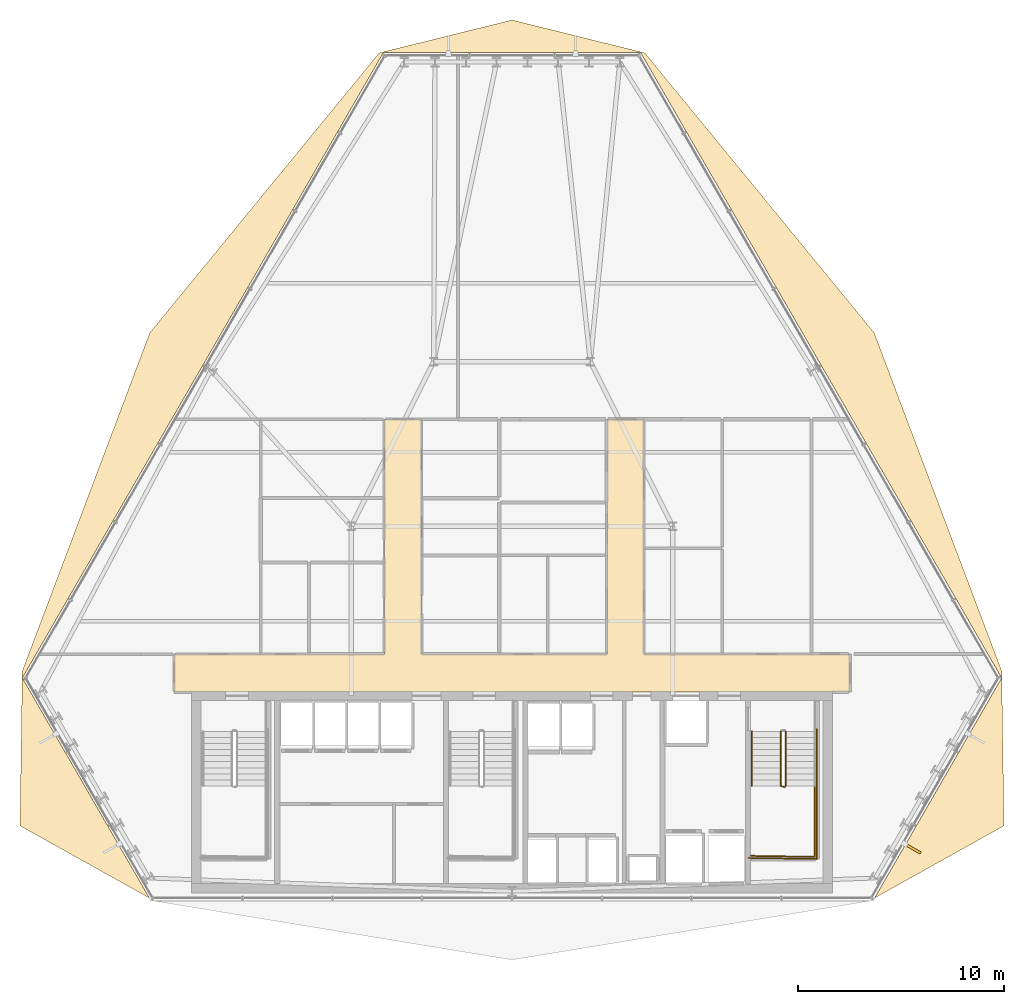
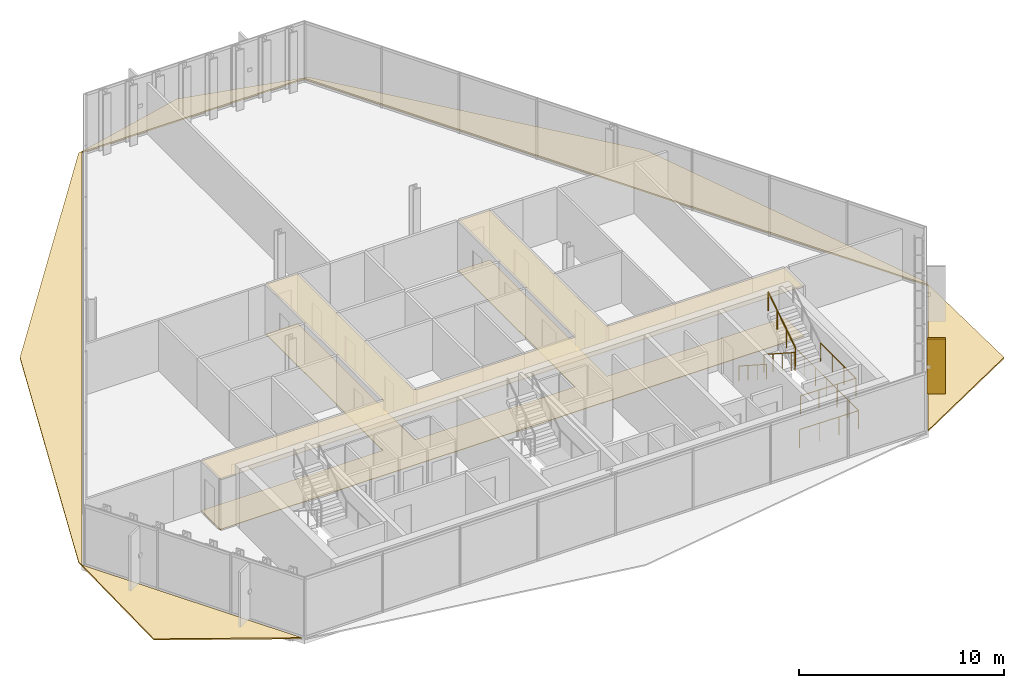
# One storey, part 34 of 36: 5 railings, 3 coverings, 1 shading device.
"""IFC4 building model written with IfcOpenShell, lengths in metres."""

from ifc_helpers import new_model, si_unit, direction, frame, origin, origin_2d, place, context, subcontext, project, spatial, polyline, rectangle, circle, outline, extrude, material, layer, layer_set, type_object, element, save


model = new_model("IFC4")

# Units and contexts
model_context = context("Model", 3, precision=1e-05, world=origin(), true_north=direction((0.0, 1.0)))
body_context = subcontext(model_context, "Body", "Model", "MODEL_VIEW")
ifc_project = project(units=[si_unit("LENGTHUNIT", "METRE"), si_unit("AREAUNIT", "SQUARE_METRE"), si_unit("VOLUMEUNIT", "CUBIC_METRE"), si_unit("PLANEANGLEUNIT", "RADIAN"), si_unit("MASSUNIT", "GRAM", prefix="KILO")], contexts=[model_context])

# Site, building, storey
site_placement = place(None, origin())
site = spatial("IfcSite", under=ifc_project, at=site_placement, CompositionType="ELEMENT")
building_placement = place(site_placement, origin())
building = spatial("IfcBuilding", under=site, at=building_placement, Name="Ndaravel Arena Tower", CompositionType="ELEMENT")
storey_placement = place(building_placement, frame((0.0, 0.0, 127.0)))
storey = spatial("IfcBuildingStorey", under=building, at=storey_placement, Name="L29", CompositionType="ELEMENT", Elevation=127.0)

# Coverings
ifc_material_1 = material(Name="Acoustic Ceiling Tile", Category="finish")
ifc_layer_1 = layer(ifc_material_1, 0.02490234375)
ifc_layer_set_1 = layer_set([ifc_layer_1], Name="Acoustic Ceiling Tile")
covering_type_1 = type_object("IfcCoveringType", Name="COV-CEIL-AC600", PredefinedType="CEILING", material=ifc_layer_set_1)
covering_1_placement = place(storey_placement, frame((0.0, 0.0, 2.98046875)))
element("IfcCovering", 1, at=covering_1_placement, inside=storey, type_object=covering_type_1, Name="L29 Corridor Acoustic Ceiling", PredefinedType="CEILING", context=body_context, shape_type="SweptSolid", body=[
    extrude(outline(polyline([(58.39990234375, 17.0), (48.39990234375, 17.0), (48.39990234375, 28.39990234375), (46.60009765625, 28.39990234375), (46.60009765625, 17.0), (37.60009765625, 17.0), (37.60009765625, 28.39990234375), (35.800048828125, 28.39990234375), (35.800048828125, 17.0), (25.60009765625, 17.0), (25.60009765625, 15.14990234375), (58.39990234375, 15.14990234375), (58.39990234375, 17.0)])), origin(), (0.0, 0.0, 1.0), 0.025146484375),
])
ifc_material_2 = material(Name="Terrazzo", Category="stone")
ifc_layer_2 = layer(ifc_material_2, 0.030029296875)
ifc_layer_set_2 = layer_set([ifc_layer_2], Name="Terrazzo")
covering_type_2 = type_object("IfcCoveringType", Name="COV-FLOOR-TERRAZZO", PredefinedType="FLOORING", material=ifc_layer_set_2)
covering_2_placement = place(storey_placement, origin())
element("IfcCovering", 2, at=covering_2_placement, inside=storey, type_object=covering_type_2, Name="L29 Corridor Terrazzo Flooring", PredefinedType="FLOORING", context=body_context, shape_type="SweptSolid", body=[
    extrude(outline(polyline([(58.39990234375, 17.0), (48.39990234375, 17.0), (48.39990234375, 28.39990234375), (46.60009765625, 28.39990234375), (46.60009765625, 17.0), (37.60009765625, 17.0), (37.60009765625, 28.39990234375), (35.800048828125, 28.39990234375), (35.800048828125, 17.0), (25.60009765625, 17.0), (25.60009765625, 15.14990234375), (58.39990234375, 15.14990234375), (58.39990234375, 17.0)])), origin(), (0.0, 0.0, 1.0), 0.030029296875),
])
ifc_material_3 = material(Name="Roofing Membrane", Category="finish")
ifc_layer_3 = layer(ifc_material_3, 0.080078125)
ifc_layer_set_3 = layer_set([ifc_layer_3], Name="Roofing Membrane")
covering_type_3 = type_object("IfcCoveringType", Name="COV-ROOF-MEMB", PredefinedType="ROOFING", material=ifc_layer_set_3)
covering_3_placement = place(storey_placement, origin())
element("IfcCovering", 3, at=covering_3_placement, inside=storey, type_object=covering_type_3, Name="L29 Facet Setback Weathering Flashing", PredefinedType="ROOFING", context=body_context, shape_type="SweptSolid", body=[
    extrude(outline(polyline([(18.113525390625, 8.661376953125), (18.222412109375, 16.172607421875), (24.417724609375, 32.603271484375), (35.549560546875, 46.18408203125), (42.0, 47.783935546875), (48.450439453125, 46.18408203125), (59.582275390625, 32.603271484375), (65.777587890625, 16.172607421875), (65.886474609375, 8.661376953125), (59.602783203125, 5.15380859375), (65.77294921875, 15.841064453125), (48.24755859375, 46.196044921875), (35.75244140625, 46.196044921875), (18.22705078125, 15.841064453125), (24.397216796875, 5.15380859375), (18.113525390625, 8.661376953125)])), origin(), (0.0, 0.0, 1.0), 0.080078125),
])

# Railings
ifc_material_4 = material(Name="Steel S355", Category="steel")
ifc_layer_4 = layer(ifc_material_4, 0.06005859375)
ifc_layer_set_4 = layer_set([ifc_layer_4], Name="Steel S355")
railing_type_1 = type_object("IfcRailingType", Name="RAIL-STAIR-GD1100", PredefinedType="GUARDRAIL", material=ifc_layer_set_4)
railing_1_placement = place(storey_placement, frame((55.050048828125, 13.25, 0.18994140625)))
element("IfcRailing", 4, at=railing_1_placement, inside=storey, type_object=railing_type_1, Name="L29 ST-3 stair guard 1", PredefinedType="GUARDRAIL", context=body_context, shape_type="SweptSolid", body=[
    extrude(circle(Radius=0.02392578125, at=origin_2d()), frame((0.0, 0.0, 1.076171875), z_axis=(0.0, -0.840723540582, 0.54146461409), x_axis=(1.0, 0.0, 0.0)), (0.0, 0.0, 1.0), 3.157958984375),
    extrude(circle(Radius=0.02392578125, at=origin_2d()), frame((0.0, -2.655029296875, 2.7861328125), z_axis=(0.966993988697, -0.254799187253, 0.0), x_axis=(0.254799187253, 0.966993988697, 0.0)), (0.0, 0.0, 1.0), 0.196533203125),
    extrude(circle(Radius=0.02099609375, at=origin_2d()), origin(), (0.0, 0.0, 1.0), 1.052001953125),
    extrude(circle(Radius=0.02099609375, at=origin_2d()), frame((0.0, -0.885009765625, 0.570068359375)), (0.0, 0.0, 1.0), 1.052001953125),
    extrude(circle(Radius=0.02099609375, at=origin_2d()), frame((0.0, -1.77001953125, 1.139892578125)), (0.0, 0.0, 1.0), 1.052001953125),
    extrude(circle(Radius=0.02099609375, at=origin_2d()), frame((0.0, -2.655029296875, 1.7099609375)), (0.0, 0.0, 1.0), 1.052001953125),
    extrude(circle(Radius=0.02099609375, at=origin_2d()), frame((0.18994140625, -2.705078125, 1.7099609375)), (0.0, 0.0, 1.0), 1.052001953125),
])
railing_2_placement = place(storey_placement, frame((56.68994140625, 10.594970703125, 1.89990234375)))
element("IfcRailing", 5, at=railing_2_placement, inside=storey, type_object=railing_type_1, Name="L29 ST-3 stair guard 2", PredefinedType="GUARDRAIL", context=body_context, shape_type="SweptSolid", body=[
    extrude(circle(Radius=0.02392578125, at=origin_2d()), frame((0.0, 0.0, 1.076171875), z_axis=(0.0, -1.0, 0.0), x_axis=(1.0, 0.0, 0.0)), (0.0, 0.0, 1.0), 3.445068359375),
    extrude(circle(Radius=0.02392578125, at=origin_2d()), frame((0.0, -3.445068359375, 1.076171875), z_axis=(-0.999868840623, 0.016195726322, 0.0), x_axis=(-0.016195726322, -0.999868840623, 0.0)), (0.0, 0.0, 1.0), 3.09033203125),
    extrude(circle(Radius=0.02099609375, at=origin_2d()), origin(), (0.0, 0.0, 1.0), 1.052001953125),
    extrude(circle(Radius=0.02099609375, at=origin_2d()), frame((0.0, -1.1484375, 0.0)), (0.0, 0.0, 1.0), 1.052001953125),
    extrude(circle(Radius=0.02099609375, at=origin_2d()), frame((0.0, -2.296630859375, 0.0)), (0.0, 0.0, 1.0), 1.052001953125),
    extrude(circle(Radius=0.02099609375, at=origin_2d()), frame((0.0, -3.445068359375, 0.0)), (0.0, 0.0, 1.0), 1.052001953125),
    extrude(circle(Radius=0.02099609375, at=origin_2d()), frame((-1.030029296875, -3.428466796875, 0.0)), (0.0, 0.0, 1.0), 1.052001953125),
    extrude(circle(Radius=0.02099609375, at=origin_2d()), frame((-2.059814453125, -3.41162109375, 0.0)), (0.0, 0.0, 1.0), 1.052001953125),
    extrude(circle(Radius=0.02099609375, at=origin_2d()), frame((-3.08984375, -3.39501953125, 0.0)), (0.0, 0.0, 1.0), 1.052001953125),
])
railing_3_placement = place(storey_placement, frame((55.2900390625, 10.594970703125, 2.090087890625)))
element("IfcRailing", 6, at=railing_3_placement, inside=storey, type_object=railing_type_1, Name="L29 ST-3 stair guard 3", PredefinedType="GUARDRAIL", context=body_context, shape_type="SweptSolid", body=[
    extrude(circle(Radius=0.02392578125, at=origin_2d()), frame((0.0, 0.0, 1.076171875), z_axis=(0.0, 0.840723540582, 0.54146461409), x_axis=(-1.0, 0.0, 0.0)), (0.0, 0.0, 1.0), 3.157958984375),
    extrude(circle(Radius=0.02099609375, at=origin_2d()), origin(), (0.0, 0.0, 1.0), 1.052001953125),
    extrude(circle(Radius=0.02099609375, at=origin_2d()), frame((0.0, 0.885009765625, 0.570068359375)), (0.0, 0.0, 1.0), 1.052001953125),
    extrude(circle(Radius=0.02099609375, at=origin_2d()), frame((0.0, 1.77001953125, 1.139892578125)), (0.0, 0.0, 1.0), 1.052001953125),
    extrude(circle(Radius=0.02099609375, at=origin_2d()), frame((0.0, 2.655029296875, 1.7099609375)), (0.0, 0.0, 1.0), 1.052001953125),
])
railing_4_placement = place(storey_placement, frame((56.7900390625, 13.35009765625, 0.0)))
element("IfcRailing", 7, at=railing_4_placement, inside=storey, type_object=railing_type_1, Name="L29 ST-3 stair guard 6", PredefinedType="GUARDRAIL", context=body_context, shape_type="SweptSolid", body=[
    extrude(circle(Radius=0.02392578125, at=origin_2d()), frame((0.0, 0.0, 1.076171875), z_axis=(0.0, -1.0, 0.0), x_axis=(1.0, 0.0, 0.0)), (0.0, 0.0, 1.0), 6.300048828125),
    extrude(circle(Radius=0.02392578125, at=origin_2d()), frame((0.0, -6.300048828125, 1.076171875), z_axis=(-0.99988431412, 0.015210469308, 0.0), x_axis=(-0.015210469308, -0.99988431412, 0.0)), (0.0, 0.0, 1.0), 3.29052734375),
    extrude(circle(Radius=0.02099609375, at=origin_2d()), origin(), (0.0, 0.0, 1.0), 1.052001953125),
    extrude(circle(Radius=0.02099609375, at=origin_2d()), frame((0.0, -1.050048828125, 0.0)), (0.0, 0.0, 1.0), 1.052001953125),
    extrude(circle(Radius=0.02099609375, at=origin_2d()), frame((0.0, -2.10009765625, 0.0)), (0.0, 0.0, 1.0), 1.052001953125),
    extrude(circle(Radius=0.02099609375, at=origin_2d()), frame((0.0, -3.14990234375, 0.0)), (0.0, 0.0, 1.0), 1.052001953125),
    extrude(circle(Radius=0.02099609375, at=origin_2d()), frame((0.0, -4.199951171875, 0.0)), (0.0, 0.0, 1.0), 1.052001953125),
    extrude(circle(Radius=0.02099609375, at=origin_2d()), frame((0.0, -5.25, 0.0)), (0.0, 0.0, 1.0), 1.052001953125),
    extrude(circle(Radius=0.02099609375, at=origin_2d()), frame((0.0, -6.300048828125, 0.0)), (0.0, 0.0, 1.0), 1.052001953125),
    extrude(circle(Radius=0.02099609375, at=origin_2d()), frame((-1.0966796875, -6.283447265625, 0.0)), (0.0, 0.0, 1.0), 1.052001953125),
    extrude(circle(Radius=0.02099609375, at=origin_2d()), frame((-2.193359375, -6.2666015625, 0.0)), (0.0, 0.0, 1.0), 1.052001953125),
    extrude(circle(Radius=0.02099609375, at=origin_2d()), frame((-3.2900390625, -6.25, 0.0)), (0.0, 0.0, 1.0), 1.052001953125),
])
ifc_material_5 = material(Name="Steel S355", Category="steel")
ifc_layer_5 = layer(ifc_material_5, 0.050048828125)
ifc_layer_set_5 = layer_set([ifc_layer_5], Name="Steel S355")
railing_type_2 = type_object("IfcRailingType", Name="RAIL-STAIR-HR920", PredefinedType="HANDRAIL", material=ifc_layer_set_5)
railing_5_placement = place(storey_placement, frame((53.64990234375, 13.25, 0.18994140625)))
element("IfcRailing", 8, at=railing_5_placement, inside=storey, type_object=railing_type_2, Name="L29 ST-3 stair handrail 1", PredefinedType="HANDRAIL", context=body_context, shape_type="SweptSolid", body=[
    extrude(circle(Radius=0.02392578125, at=origin_2d()), frame((0.0, 0.0, 0.8759765625), z_axis=(0.0, -0.840723540582, 0.54146461409), x_axis=(1.0, 0.0, 0.0)), (0.0, 0.0, 1.0), 3.157958984375),
    extrude(circle(Radius=0.02099609375, at=origin_2d()), origin(), (0.0, 0.0, 1.0), 0.851806640625),
    extrude(circle(Radius=0.02099609375, at=origin_2d()), frame((0.0, -0.885009765625, 0.570068359375)), (0.0, 0.0, 1.0), 0.851806640625),
    extrude(circle(Radius=0.02099609375, at=origin_2d()), frame((0.0, -1.77001953125, 1.139892578125)), (0.0, 0.0, 1.0), 0.851806640625),
    extrude(circle(Radius=0.02099609375, at=origin_2d()), frame((0.0, -2.655029296875, 1.7099609375)), (0.0, 0.0, 1.0), 0.851806640625),
])

# Shading device
ifc_material_6 = material(Name="Masonry", Category="masonry")
shading_device_type = type_object("IfcShadingDeviceType", Name="SHD-MAZERAS-FIN", PredefinedType="SHUTTER", material=ifc_material_6)
shading_device_placement = place(storey_placement, frame((61.44873046875, 7.563232421875, 0.14990234375), z_axis=(0.0, 0.0, 1.0), x_axis=(0.866025403784, -0.5, 0.0)))
element("IfcShadingDevice", 9, at=shading_device_placement, inside=storey, type_object=shading_device_type, Name="L29 Mazeras Stone Solar Fin E2.1", PredefinedType="SHUTTER", context=body_context, shape_type="SweptSolid", body=[
    extrude(rectangle(XDim=0.89990234375, YDim=0.1201171875, at=origin_2d()), origin(), (0.0, 0.0, 1.0), 3.280029296875),
])

save(model, "model.ifc")
